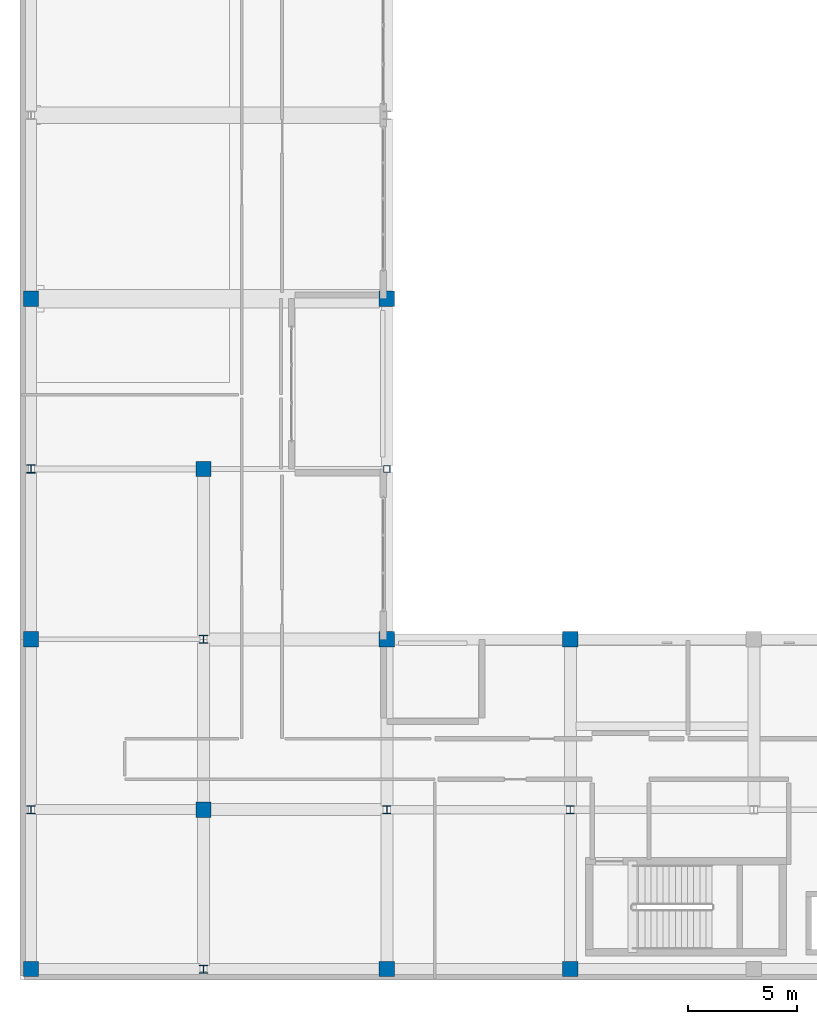
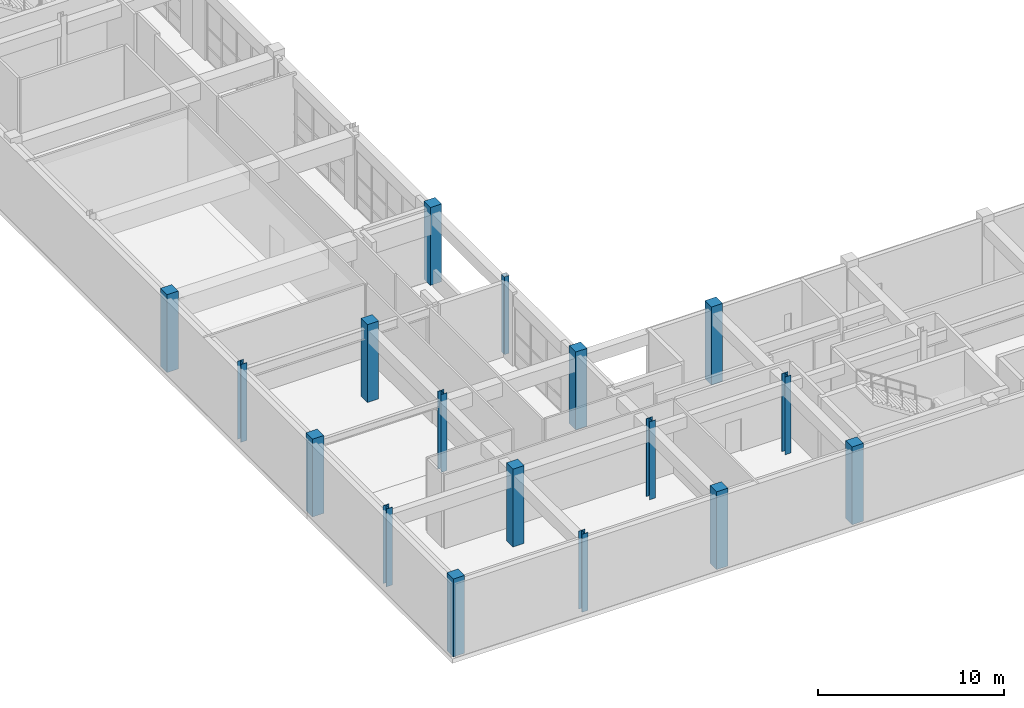
# One storey, part 1 of 78: 17 columns.
"""IFC4 building model written with IfcOpenShell, lengths in metres."""

from ifc_helpers import new_model, si_unit, direction, frame, origin, origin_2d, place, context, subcontext, project, spatial, rectangle, hollow_rectangle, i_section, extrude, material, material_profile, profile_set, type_object, element, save


model = new_model("IFC4")

# Units and contexts
model_context = context("Model", 3, precision=1e-05, world=origin(), true_north=direction((0.0, 1.0)))
body_context = subcontext(model_context, "Body", "Model", "MODEL_VIEW")
ifc_project = project(units=[si_unit("LENGTHUNIT", "METRE"), si_unit("AREAUNIT", "SQUARE_METRE"), si_unit("VOLUMEUNIT", "CUBIC_METRE"), si_unit("PLANEANGLEUNIT", "RADIAN"), si_unit("MASSUNIT", "GRAM", prefix="KILO")], contexts=[model_context])

# Site, building, storey
site_placement = place(None, origin())
site = spatial("IfcSite", under=ifc_project, at=site_placement, CompositionType="ELEMENT")
building_placement = place(site_placement, origin())
building = spatial("IfcBuilding", under=site, at=building_placement, Name="Quendrovan Civic Courthouse", CompositionType="ELEMENT")
storey_placement = place(building_placement, frame((0.0, 0.0, 10.199951171875)))
storey = spatial("IfcBuildingStorey", under=building, at=storey_placement, Name="L03", CompositionType="ELEMENT", Elevation=10.199951171875)

# Columns
ifc_material_1 = material(Name="Concrete C45/55", Category="concrete")
ifc_material_profile_1 = material_profile(ifc_material_1, rectangle(XDim=0.699951171875, YDim=0.699951171875, at=origin_2d()), Name="RC-COL-700x700")
ifc_profile_set_1 = profile_set([ifc_material_profile_1], Name="Concrete C45/55")
column_type_1 = type_object("IfcColumnType", Name="COL-RC700", PredefinedType="COLUMN", material=ifc_profile_set_1)
for number, where, z_axis, x_axis, name in (
    (1, (0.5, 0.5, 0.0), (0.0, 0.0, 1.0), (1.0, 0.0, 0.0), "L03 Column 1-A"),
    (2, (0.5, 15.60009765625, 0.0), (0.0, 0.0, 1.0), (1.0, 0.0, 0.0), "L03 Column 1-C"),
    (3, (0.5, 31.199951171875, 0.0), (0.0, 0.0, 1.0), (1.0, 0.0, 0.0), "L03 Column 1-E"),
    (4, (8.39990234375, 7.800048828125, 0.0), (0.0, 0.0, 1.0), (1.0, 0.0, 0.0), "L03 Column 2-B"),
    (5, (8.39990234375, 23.39990234375, 0.0), (0.0, 0.0, 1.0), (1.0, 0.0, 0.0), "L03 Column 2-D"),
    (6, (16.800048828125, 0.5, 0.0), (0.0, 0.0, 1.0), (1.0, 0.0, 0.0), "L03 Column 3-A"),
    (7, (16.800048828125, 15.60009765625, 0.0), (0.0, 0.0, 1.0), (1.0, 0.0, 0.0), "L03 Column 3-C"),
    (8, (16.800048828125, 31.199951171875, 0.0), (0.0, 0.0, 1.0), (1.0, 0.0, 0.0), "L03 Column 3-E"),
    (9, (25.199951171875, 0.5, 0.0), (0.0, 0.0, 1.0), (1.0, 0.0, 0.0), "L03 Column 4-A"),
    (10, (25.199951171875, 15.60009765625, 0.0), (0.0, 0.0, 1.0), (1.0, 0.0, 0.0), "L03 Column 4-C"),
):
    element("IfcColumn", number, at=place(storey_placement, frame(where, z_axis=z_axis, x_axis=x_axis)), inside=storey, type_object=column_type_1, Name=name, PredefinedType="COLUMN", context=body_context, shape_type="SweptSolid", body=[
        extrude(rectangle(XDim=0.699951171875, YDim=0.699951171875, at=origin_2d()), origin(), (0.0, 0.0, 1.0), 5.10009765625),
    ])
ifc_material_2 = material(Name="Steel ASTM A500 Grade C", Category="steel")
ifc_material_profile_2 = material_profile(ifc_material_2, hollow_rectangle(XDim=0.300048828125, YDim=0.300048828125, WallThickness=0.011962890625, at=origin_2d()), Name="HSS300x300x12")
ifc_profile_set_2 = profile_set([ifc_material_profile_2], Name="Steel ASTM A500 Grade C")
column_type_2 = type_object("IfcColumnType", Name="COL-STL-HSS300S", PredefinedType="COLUMN", material=ifc_profile_set_2)
column_placement = place(storey_placement, frame((16.800048828125, 23.39990234375, 0.0), z_axis=(0.0, 0.0, 1.0), x_axis=(1.0, 0.0, 0.0)))
element("IfcColumn", 11, at=column_placement, inside=storey, type_object=column_type_2, Name="L03 Column 3-D", PredefinedType="COLUMN", context=body_context, shape_type="SweptSolid", body=[
    extrude(hollow_rectangle(XDim=0.300048828125, YDim=0.300048828125, WallThickness=0.011962890625, at=origin_2d()), origin(), (0.0, 0.0, 1.0), 5.10009765625),
])
ifc_material_3 = material(Name="Steel ASTM A992 Grade 50", Category="steel")
ifc_material_profile_3 = material_profile(ifc_material_3, i_section(OverallWidth=0.3740234375, OverallDepth=0.3720703125, WebThickness=0.016357421875, FlangeThickness=0.026123046875, at=origin_2d()), Name="W14X132")
ifc_profile_set_3 = profile_set([ifc_material_profile_3], Name="Steel ASTM A992 Grade 50")
column_type_3 = type_object("IfcColumnType", Name="COL-STL-W14X132", PredefinedType="COLUMN", material=ifc_profile_set_3)
for number, where, z_axis, x_axis, name in (
    (12, (0.5, 7.800048828125, 0.0), (0.0, 0.0, 1.0), (1.0, 0.0, 0.0), "L03 Column 1-B"),
    (13, (0.5, 23.39990234375, 0.0), (0.0, 0.0, 1.0), (1.0, 0.0, 0.0), "L03 Column 1-D"),
    (14, (8.39990234375, 0.5, 0.0), (0.0, 0.0, 1.0), (1.0, 0.0, 0.0), "L03 Column 2-A"),
    (15, (8.39990234375, 15.60009765625, 0.0), (0.0, 0.0, 1.0), (1.0, 0.0, 0.0), "L03 Column 2-C"),
    (16, (16.800048828125, 7.800048828125, 0.0), (0.0, 0.0, 1.0), (1.0, 0.0, 0.0), "L03 Column 3-B"),
    (17, (25.199951171875, 7.800048828125, 0.0), (0.0, 0.0, 1.0), (1.0, 0.0, 0.0), "L03 Column 4-B"),
):
    element("IfcColumn", number, at=place(storey_placement, frame(where, z_axis=z_axis, x_axis=x_axis)), inside=storey, type_object=column_type_3, Name=name, PredefinedType="COLUMN", context=body_context, shape_type="SweptSolid", body=[
        extrude(i_section(OverallWidth=0.3740234375, OverallDepth=0.3720703125, WebThickness=0.016357421875, FlangeThickness=0.026123046875, at=origin_2d()), origin(), (0.0, 0.0, 1.0), 5.10009765625),
    ])

save(model, "model.ifc")
